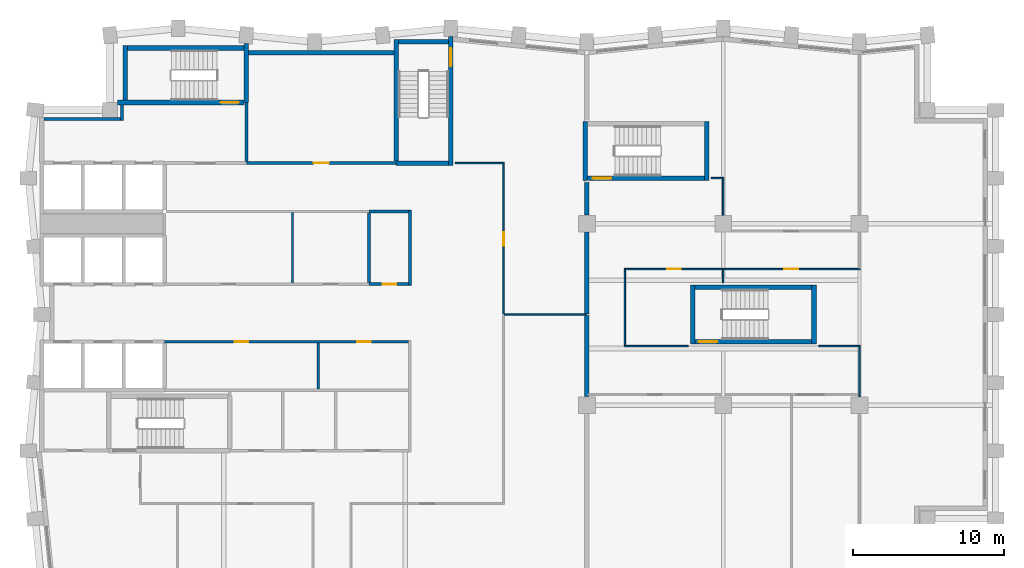
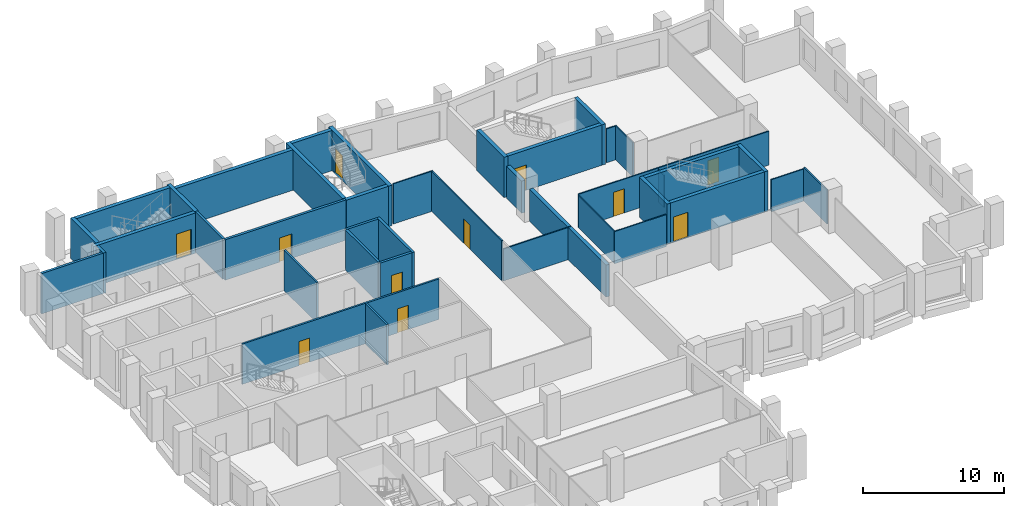
# One storey, part 6 of 10: 42 walls, 11 doors, 11 openings.
"""IFC4 building model written with IfcOpenShell, lengths in metres."""

from ifc_helpers import new_model, si_unit, direction, frame, frame_2d, origin, place, context, subcontext, project, spatial, rectangle, extrude, material, layer, layer_set, type_object, element, fill, save


model = new_model("IFC4")

# Units and contexts
model_context = context("Model", 3, precision=1e-05, world=origin(), true_north=direction((0.0, 1.0)))
body_context = subcontext(model_context, "Body", "Model", "MODEL_VIEW")
ifc_project = project(units=[si_unit("LENGTHUNIT", "METRE"), si_unit("AREAUNIT", "SQUARE_METRE"), si_unit("VOLUMEUNIT", "CUBIC_METRE"), si_unit("PLANEANGLEUNIT", "RADIAN"), si_unit("MASSUNIT", "GRAM", prefix="KILO")], contexts=[model_context])

# Site, building, storey
site_placement = place(None, origin())
site = spatial("IfcSite", under=ifc_project, at=site_placement, CompositionType="ELEMENT")
building_placement = place(site_placement, origin())
building = spatial("IfcBuilding", under=site, at=building_placement, Name="Brondeck Convention Tower", CompositionType="ELEMENT")
storey_placement = place(building_placement, frame((0.0, 0.0, 162.39990234375)))
storey = spatial("IfcBuildingStorey", under=building, at=storey_placement, Name="L39", CompositionType="ELEMENT", Elevation=162.39990234375)

# Walls
ifc_material_1 = material(Name="Concrete compartment wall C30/37", Category="concrete")
ifc_layer_1 = layer(ifc_material_1, 0.300048828125)
ifc_layer_set_1 = layer_set([ifc_layer_1], Name="Compartment wall 300")
wall_type_1 = type_object("IfcWallType", Name="Compartment wall 300", PredefinedType="PARTITIONING", material=ifc_layer_set_1)
wall_1_placement = place(storey_placement, frame((36.0, 39.570068359375, 0.0), z_axis=(0.0, 0.0, 1.0), x_axis=(0.0, 1.0, 0.0)))
element("IfcWall", 1, at=wall_1_placement, inside=storey, type_object=wall_type_1, Name="FLR-L39-W041", PredefinedType="PARTITIONING", context=body_context, shape_type="SweptSolid", body=[
    extrude(rectangle(XDim=5.369873046875, YDim=0.300048828125, at=frame_2d((2.68505859375, 0.0))), origin(), (0.0, 0.0, 1.0), 2.780029296875),
])
wall_2_placement = place(storey_placement, frame((36.0, 45.0400390625, 0.0), z_axis=(0.0, 0.0, 1.0), x_axis=(0.0, 1.0, 0.0)))
element("IfcWall", 2, at=wall_2_placement, inside=storey, type_object=wall_type_1, Name="FLR-L39-W047", PredefinedType="PARTITIONING", context=body_context, shape_type="SweptSolid", body=[
    extrude(rectangle(XDim=5.405029296875, YDim=0.300048828125, at=frame_2d((2.70263671875, 0.0))), origin(), (0.0, 0.0, 1.0), 2.780029296875),
])
wall_3_placement = place(storey_placement, frame((36.0, 51.554931640625, 0.0), z_axis=(0.0, 0.0, 1.0), x_axis=(0.0, 1.0, 0.0)))
element("IfcWall", 3, at=wall_3_placement, inside=storey, type_object=wall_type_1, Name="FLR-L39-W054", PredefinedType="PARTITIONING", context=body_context, shape_type="SweptSolid", body=[
    extrude(rectangle(XDim=2.14501953125, YDim=0.300048828125, at=frame_2d((1.072509765625, 0.0))), origin(), (0.0, 0.0, 1.0), 2.780029296875),
])
ifc_material_2 = material(Name="Concrete C70/85", Category="concrete")
ifc_layer_2 = layer(ifc_material_2, 0.199951171875)
ifc_layer_set_2 = layer_set([ifc_layer_2], Name="Core beam-seat wall 200 Concrete C70/85")
wall_type_2 = type_object("IfcWallType", Name="Core beam-seat wall 200 Concrete C70/85", PredefinedType="SHEAR", material=ifc_layer_set_2)
wall_4_placement = place(storey_placement, frame((24.300048828125, 46.89990234375, 0.0), z_axis=(0.0, 0.0, 1.0), x_axis=(0.0, 1.0, 0.0)))
element("IfcWall", 4, at=wall_4_placement, inside=storey, type_object=wall_type_2, Name="L39 core wall", PredefinedType="SHEAR", context=body_context, shape_type="SweptSolid", body=[
    extrude(rectangle(XDim=5.0, YDim=0.199951171875, at=frame_2d((2.5, 0.0))), origin(), (0.0, 0.0, 1.0), 3.5),
])
ifc_layer_3 = layer(ifc_material_2, 0.300048828125)
ifc_layer_set_3 = layer_set([ifc_layer_3], Name="Core outer wall 300 Concrete C70/85")
wall_type_3 = type_object("IfcWallType", Name="Core outer wall 300 Concrete C70/85", PredefinedType="SHEAR", material=ifc_layer_set_3)
wall_5_placement = place(storey_placement, frame((13.64990234375, 62.300048828125, 0.0), z_axis=(0.0, 0.0, 1.0), x_axis=(1.0, 0.0, 0.0)))
element("IfcWall", 5, at=wall_5_placement, inside=storey, type_object=wall_type_3, Name="L39 core wall", PredefinedType="SHEAR", context=body_context, shape_type="SweptSolid", body=[
    extrude(rectangle(XDim=9.60009765625, YDim=0.300048828125, at=frame_2d((4.800048828125, 0.0))), origin(), (0.0, 0.0, 1.0), 3.5),
])

# Wall, openings, doors
ifc_material_3 = material(Name="Fire-rated gypsum board partition")
ifc_layer_4 = layer(ifc_material_3, 0.14990234375)
ifc_layer_set_4 = layer_set([ifc_layer_4], Name="Core partition 150 EI 60")
wall_type_4 = type_object("IfcWallType", Name="Core partition 150 EI 60", PredefinedType="PARTITIONING", material=ifc_layer_set_4)
wall_6_placement = place(storey_placement, frame((8.10009765625, 43.199951171875, 0.0), z_axis=(0.0, 0.0, 1.0), x_axis=(1.0, 0.0, 0.0)))
wall_6 = element("IfcWall", 6, at=wall_6_placement, inside=storey, type_object=wall_type_4, Name="L39 core wall", PredefinedType="PARTITIONING", context=body_context, shape_type="SweptSolid", body=[
    extrude(rectangle(XDim=16.125, YDim=0.14990234375, at=frame_2d((8.0625, 0.0))), origin(), (0.0, 0.0, 1.0), 3.5),
])
opening_1_placement = place(wall_6_placement, frame((4.625, 0.0, 0.0)))
opening_1 = element("IfcOpeningElement", 7, at=opening_1_placement, cuts=wall_6, Name="Opening C22-09", PredefinedType="OPENING", context=body_context, shape_type="SweptSolid", body=[
    extrude(rectangle(XDim=0.89990234375, YDim=2.10009765625, at=frame_2d((0.449951171875, 1.050048828125))), frame((0.0, 0.0849609375, 0.0), z_axis=(0.0, -1.0, 0.0), x_axis=(1.0, 0.0, 0.0)), (0.0, 0.0, 1.0), 0.169921875),
])
opening_2_placement = place(wall_6_placement, frame((12.72509765625, 0.0, 0.0)))
opening_2 = element("IfcOpeningElement", 8, at=opening_2_placement, cuts=wall_6, Name="Opening C22-10", PredefinedType="OPENING", context=body_context, shape_type="SweptSolid", body=[
    extrude(rectangle(XDim=0.89990234375, YDim=2.10009765625, at=frame_2d((0.449951171875, 1.050048828125))), frame((0.0, 0.0849609375, 0.0), z_axis=(0.0, -1.0, 0.0), x_axis=(1.0, 0.0, 0.0)), (0.0, 0.0, 1.0), 0.169921875),
])
ifc_material_4 = material(Name="Steel fire door", Category="steel")
door_type_1 = type_object("IfcDoorType", Name="Room door 900x2100 EI 60", OperationType="NOTDEFINED", PredefinedType="DOOR", material=ifc_material_4)
door_1_placement = place(opening_1_placement, origin())
door_1 = element("IfcDoor", 9, at=door_1_placement, inside=storey, type_object=door_type_1, Name="L39 Room door FZ-S-8.1-1", OperationType="SINGLE_SWING_RIGHT", OverallHeight=2.10009765625, OverallWidth=0.89990234375, PredefinedType="DOOR", context=body_context, shape_type="SweptSolid", body=[
    extrude(rectangle(XDim=0.89990234375, YDim=2.10009765625, at=frame_2d((0.449951171875, 1.050048828125))), frame((0.0, 0.02490234375, 0.0), z_axis=(0.0, -1.0, 0.0), x_axis=(1.0, 0.0, 0.0)), (0.0, 0.0, 1.0), 0.050048828125),
])
fill(opening_1, door_1)
door_2_placement = place(opening_2_placement, origin())
door_2 = element("IfcDoor", 10, at=door_2_placement, inside=storey, type_object=door_type_1, Name="L39 Room door FZ-S-8.1-2", OperationType="SINGLE_SWING_LEFT", OverallHeight=2.10009765625, OverallWidth=0.89990234375, PredefinedType="DOOR", context=body_context, shape_type="SweptSolid", body=[
    extrude(rectangle(XDim=0.89990234375, YDim=2.10009765625, at=frame_2d((0.449951171875, 1.050048828125))), frame((0.0, 0.02490234375, 0.0), z_axis=(0.0, -1.0, 0.0), x_axis=(1.0, 0.0, 0.0)), (0.0, 0.0, 1.0), 0.050048828125),
])
fill(opening_2, door_2)

# Walls
wall_7_placement = place(storey_placement, frame((16.550048828125, 47.074951171875, 0.0), z_axis=(0.0, 0.0, 1.0), x_axis=(0.0, 1.0, 0.0)))
element("IfcWall", 11, at=wall_7_placement, inside=storey, type_object=wall_type_4, Name="L39 core wall", PredefinedType="PARTITIONING", context=body_context, shape_type="SweptSolid", body=[
    extrude(rectangle(XDim=4.650146484375, YDim=0.14990234375, at=frame_2d((2.3251953125, 0.0))), origin(), (0.0, 0.0, 1.0), 3.5),
])
wall_8_placement = place(storey_placement, frame((18.25, 40.074951171875, 0.0), z_axis=(0.0, 0.0, 1.0), x_axis=(0.0, 1.0, 0.0)))
element("IfcWall", 12, at=wall_8_placement, inside=storey, type_object=wall_type_4, Name="L39 core wall", PredefinedType="PARTITIONING", context=body_context, shape_type="SweptSolid", body=[
    extrude(rectangle(XDim=3.050048828125, YDim=0.14990234375, at=frame_2d((1.52490234375, 0.0))), origin(), (0.0, 0.0, 1.0), 3.5),
])
ifc_layer_5 = layer(ifc_material_3, 0.199951171875)
ifc_layer_set_5 = layer_set([ifc_layer_5], Name="Firefighting lobby wall 200 EI 120")
wall_type_5 = type_object("IfcWallType", Name="Firefighting lobby wall 200 EI 120", PredefinedType="PARTITIONING", material=ifc_layer_set_5)
wall_9_placement = place(storey_placement, frame((0.14990234375, 57.89990234375, 0.0), z_axis=(0.0, 0.0, 1.0), x_axis=(1.0, 0.0, 0.0)))
element("IfcWall", 13, at=wall_9_placement, inside=storey, type_object=wall_type_5, Name="L39 core wall", PredefinedType="PARTITIONING", context=body_context, shape_type="SweptSolid", body=[
    extrude(rectangle(XDim=5.050048828125, YDim=0.199951171875, at=frame_2d((2.52490234375, 0.0))), origin(), (0.0, 0.0, 1.0), 3.5),
])
wall_10_placement = place(storey_placement, frame((5.300048828125, 57.800048828125, 0.0), z_axis=(0.0, 0.0, 1.0), x_axis=(0.0, 1.0, 0.0)))
element("IfcWall", 14, at=wall_10_placement, inside=storey, type_object=wall_type_5, Name="L39 core wall", PredefinedType="PARTITIONING", context=body_context, shape_type="SweptSolid", body=[
    extrude(rectangle(XDim=1.050048828125, YDim=0.199951171875, at=frame_2d((0.52490234375, 0.0))), origin(), (0.0, 0.0, 1.0), 3.5),
])
wall_11_placement = place(storey_placement, frame((13.5, 55.10009765625, 0.0), z_axis=(0.0, 0.0, 1.0), x_axis=(0.0, 1.0, 0.0)))
element("IfcWall", 15, at=wall_11_placement, inside=storey, type_object=wall_type_5, Name="L39 core wall", PredefinedType="PARTITIONING", context=body_context, shape_type="SweptSolid", body=[
    extrude(rectangle(XDim=3.89990234375, YDim=0.199951171875, at=frame_2d((1.949951171875, 0.0))), origin(), (0.0, 0.0, 1.0), 3.5),
])

# Wall, opening, door
ifc_layer_6 = layer(ifc_material_3, 0.199951171875)
ifc_layer_set_6 = layer_set([ifc_layer_6], Name="Riser wall 200 EI 120")
wall_type_6 = type_object("IfcWallType", Name="Riser wall 200 EI 120", PredefinedType="PARTITIONING", material=ifc_layer_set_6)
wall_12_placement = place(storey_placement, frame((21.60009765625, 47.0, 0.0), z_axis=(0.0, 0.0, 1.0), x_axis=(1.0, 0.0, 0.0)))
wall_12 = element("IfcWall", 16, at=wall_12_placement, inside=storey, type_object=wall_type_6, Name="L39 core wall", PredefinedType="PARTITIONING", context=body_context, shape_type="SweptSolid", body=[
    extrude(rectangle(XDim=2.599853515625, YDim=0.199951171875, at=frame_2d((1.2998046875, 0.0))), origin(), (0.0, 0.0, 1.0), 3.5),
])
opening_3_placement = place(wall_12_placement, frame((0.89990234375, 0.0, 0.0)))
opening_3 = element("IfcOpeningElement", 17, at=opening_3_placement, cuts=wall_12, Name="Opening C22-02", PredefinedType="OPENING", context=body_context, shape_type="SweptSolid", body=[
    extrude(rectangle(XDim=0.89990234375, YDim=2.10009765625, at=frame_2d((0.449951171875, 1.050048828125))), frame((0.0, 0.10986328125, 0.0), z_axis=(0.0, -1.0, 0.0), x_axis=(1.0, 0.0, 0.0)), (0.0, 0.0, 1.0), 0.219970703125),
])
door_type_2 = type_object("IfcDoorType", Name="Riser door 900x2100 EI 120", OperationType="NOTDEFINED", PredefinedType="DOOR", material=ifc_material_4)
door_3_placement = place(opening_3_placement, origin())
door_3 = element("IfcDoor", 18, at=door_3_placement, inside=storey, type_object=door_type_2, Name="L39 Riser door EN-1", OperationType="SINGLE_SWING_LEFT", OverallHeight=2.10009765625, OverallWidth=0.89990234375, PredefinedType="DOOR", context=body_context, shape_type="SweptSolid", body=[
    extrude(rectangle(XDim=0.89990234375, YDim=2.10009765625, at=frame_2d((0.449951171875, 1.050048828125))), frame((0.0, 0.02490234375, 0.0), z_axis=(0.0, -1.0, 0.0), x_axis=(1.0, 0.0, 0.0)), (0.0, 0.0, 1.0), 0.050048828125),
])
fill(opening_3, door_3)

# Wall
wall_13_placement = place(storey_placement, frame((21.60009765625, 51.800048828125, 0.0), z_axis=(0.0, 0.0, 1.0), x_axis=(1.0, 0.0, 0.0)))
element("IfcWall", 19, at=wall_13_placement, inside=storey, type_object=wall_type_6, Name="L39 core wall", PredefinedType="PARTITIONING", context=body_context, shape_type="SweptSolid", body=[
    extrude(rectangle(XDim=2.599853515625, YDim=0.199951171875, at=frame_2d((1.2998046875, 0.0))), origin(), (0.0, 0.0, 1.0), 3.5),
])

# Wall, opening, door
wall_14_placement = place(storey_placement, frame((13.5, 55.0, 0.0), z_axis=(0.0, 0.0, 1.0), x_axis=(1.0, 0.0, 0.0)))
wall_14 = element("IfcWall", 20, at=wall_14_placement, inside=storey, type_object=wall_type_6, Name="L39 core wall", PredefinedType="PARTITIONING", context=body_context, shape_type="SweptSolid", body=[
    extrude(rectangle(XDim=9.89990234375, YDim=0.199951171875, at=frame_2d((4.949951171875, 0.0))), origin(), (0.0, 0.0, 1.0), 3.5),
])
opening_4_placement = place(wall_14_placement, frame((4.449951171875, 0.0, 0.0)))
opening_4 = element("IfcOpeningElement", 21, at=opening_4_placement, cuts=wall_14, Name="Opening C22-11", PredefinedType="OPENING", context=body_context, shape_type="SweptSolid", body=[
    extrude(rectangle(XDim=1.0, YDim=2.10009765625, at=frame_2d((0.5, 1.050048828125))), frame((0.0, 0.10986328125, 0.0), z_axis=(0.0, -1.0, 0.0), x_axis=(1.0, 0.0, 0.0)), (0.0, 0.0, 1.0), 0.219970703125),
])
door_type_3 = type_object("IfcDoorType", Name="Riser door 1000x2100 EI 120", OperationType="NOTDEFINED", PredefinedType="DOOR", material=ifc_material_4)
door_4_placement = place(opening_4_placement, origin())
door_4 = element("IfcDoor", 22, at=door_4_placement, inside=storey, type_object=door_type_3, Name="L39 Riser door NE-1", OperationType="SINGLE_SWING_LEFT", OverallHeight=2.10009765625, OverallWidth=1.0, PredefinedType="DOOR", context=body_context, shape_type="SweptSolid", body=[
    extrude(rectangle(XDim=1.0, YDim=2.10009765625, at=frame_2d((0.5, 1.050048828125))), frame((0.0, 0.02490234375, 0.0), z_axis=(0.0, -1.0, 0.0), x_axis=(1.0, 0.0, 0.0)), (0.0, 0.0, 1.0), 0.050048828125),
])
fill(opening_4, door_4)

# Walls
wall_15_placement = place(storey_placement, frame((21.60009765625, 47.10009765625, 0.0), z_axis=(0.0, 0.0, 1.0), x_axis=(0.0, 1.0, 0.0)))
element("IfcWall", 23, at=wall_15_placement, inside=storey, type_object=wall_type_6, Name="L39 core wall", PredefinedType="PARTITIONING", context=body_context, shape_type="SweptSolid", body=[
    extrude(rectangle(XDim=4.599853515625, YDim=0.199951171875, at=frame_2d((2.2998046875, 0.0))), origin(), (0.0, 0.0, 1.0), 3.5),
])
ifc_material_5 = material(Name="Gypsum board partition on steel studs", Category="steel")
ifc_layer_7 = layer(ifc_material_5, 0.10009765625)
ifc_layer_set_7 = layer_set([ifc_layer_7], Name="Room partition 100")
wall_type_7 = type_object("IfcWallType", Name="Room partition 100", PredefinedType="PARTITIONING", material=ifc_layer_set_7)
wall_16_placement = place(storey_placement, frame((54.0, 42.85009765625, 0.0), z_axis=(0.0, 0.0, 1.0), x_axis=(0.0, -1.0, 0.0)))
element("IfcWall", 24, at=wall_16_placement, inside=storey, type_object=wall_type_7, Name="FLR-L39-W042", PredefinedType="PARTITIONING", context=body_context, shape_type="SweptSolid", body=[
    extrude(rectangle(XDim=3.280029296875, YDim=0.10009765625, at=frame_2d((1.64013671875, 0.0))), origin(), (0.0, 0.0, 1.0), 2.93017578125),
])
wall_17_placement = place(storey_placement, frame((38.449951171875, 42.89990234375, 0.0), z_axis=(0.0, 0.0, 1.0), x_axis=(1.0, 0.0, 0.0)))
element("IfcWall", 25, at=wall_17_placement, inside=storey, type_object=wall_type_7, Name="FLR-L39-W043", PredefinedType="PARTITIONING", context=body_context, shape_type="SweptSolid", body=[
    extrude(rectangle(XDim=4.25, YDim=0.10009765625, at=frame_2d((2.125, 0.0))), origin(), (0.0, 0.0, 1.0), 2.780029296875),
])
wall_18_placement = place(storey_placement, frame((51.300048828125, 42.89990234375, 0.0), z_axis=(0.0, 0.0, 1.0), x_axis=(1.0, 0.0, 0.0)))
element("IfcWall", 26, at=wall_18_placement, inside=storey, type_object=wall_type_7, Name="FLR-L39-W044", PredefinedType="PARTITIONING", context=body_context, shape_type="SweptSolid", body=[
    extrude(rectangle(XDim=2.75, YDim=0.10009765625, at=frame_2d((1.375, 0.0))), origin(), (0.0, 0.0, 1.0), 2.780029296875),
])
wall_19_placement = place(storey_placement, frame((30.550048828125, 44.989990234375, 0.0), z_axis=(0.0, 0.0, 1.0), x_axis=(1.0, 0.0, 0.0)))
element("IfcWall", 27, at=wall_19_placement, inside=storey, type_object=wall_type_7, Name="FLR-L39-W046", PredefinedType="PARTITIONING", context=body_context, shape_type="SweptSolid", body=[
    extrude(rectangle(XDim=5.39990234375, YDim=0.10009765625, at=frame_2d((2.699951171875, 0.0))), origin(), (0.0, 0.0, 1.0), 2.780029296875),
])
wall_20_placement = place(storey_placement, frame((38.5, 47.949951171875, 0.0), z_axis=(0.0, 0.0, 1.0), x_axis=(0.0, -1.0, 0.0)))
element("IfcWall", 28, at=wall_20_placement, inside=storey, type_object=wall_type_7, Name="FLR-L39-W048", PredefinedType="PARTITIONING", context=body_context, shape_type="SweptSolid", body=[
    extrude(rectangle(XDim=5.0, YDim=0.10009765625, at=frame_2d((2.5, 0.0))), origin(), (0.0, 0.0, 1.0), 2.780029296875),
])
wall_21_placement = place(storey_placement, frame((45.0, 47.949951171875, 0.0), z_axis=(0.0, 0.0, 1.0), x_axis=(0.0, -1.0, 0.0)))
element("IfcWall", 29, at=wall_21_placement, inside=storey, type_object=wall_type_7, Name="FLR-L39-W049", PredefinedType="PARTITIONING", context=body_context, shape_type="SweptSolid", body=[
    extrude(rectangle(XDim=0.849853515625, YDim=0.10009765625, at=frame_2d((0.4248046875, 0.0))), origin(), (0.0, 0.0, 1.0), 2.780029296875),
])

# Wall, opening, door
wall_22_placement = place(storey_placement, frame((45.0, 48.0, 0.0), z_axis=(0.0, 0.0, 1.0), x_axis=(-1.0, 0.0, 0.0)))
wall_22 = element("IfcWall", 30, at=wall_22_placement, inside=storey, type_object=wall_type_7, Name="FLR-L39-W050", PredefinedType="PARTITIONING", context=body_context, shape_type="SweptSolid", body=[
    extrude(rectangle(XDim=6.550048828125, YDim=0.10009765625, at=frame_2d((3.27490234375, 0.0))), origin(), (0.0, 0.0, 1.0), 2.93017578125),
])
opening_5_placement = place(wall_22_placement, frame((2.800048828125, 0.0, 0.0)))
opening_5 = element("IfcOpeningElement", 31, at=opening_5_placement, cuts=wall_22, Name="Opening OF-G-002", PredefinedType="OPENING", context=body_context, shape_type="SweptSolid", body=[
    extrude(rectangle(XDim=0.89990234375, YDim=2.10009765625, at=frame_2d((0.449951171875, 1.050048828125))), frame((0.0, 0.06005859375, 0.0), z_axis=(0.0, -1.0, 0.0), x_axis=(1.0, 0.0, 0.0)), (0.0, 0.0, 1.0), 0.1201171875),
])
ifc_material_6 = material(Name="Solid timber door leaf", Category="wood")
door_type_4 = type_object("IfcDoorType", Name="Single door 900", OperationType="NOTDEFINED", PredefinedType="DOOR", material=ifc_material_6)
door_5_placement = place(opening_5_placement, origin())
door_5 = element("IfcDoor", 32, at=door_5_placement, inside=storey, type_object=door_type_4, Name="Door OF-G-002", OperationType="SINGLE_SWING_RIGHT", OverallHeight=2.10009765625, OverallWidth=0.89990234375, PredefinedType="DOOR", context=body_context, shape_type="SweptSolid", body=[
    extrude(rectangle(XDim=0.89990234375, YDim=2.10009765625, at=frame_2d((0.449951171875, 1.050048828125))), frame((0.0, 0.02490234375, 0.0), z_axis=(0.0, -1.0, 0.0), x_axis=(1.0, 0.0, 0.0)), (0.0, 0.0, 1.0), 0.050048828125),
])
fill(opening_5, door_5)

wall_23_placement = place(storey_placement, frame((54.050048828125, 48.0, 0.0), z_axis=(0.0, 0.0, 1.0), x_axis=(-1.0, 0.0, 0.0)))
wall_23 = element("IfcWall", 33, at=wall_23_placement, inside=storey, type_object=wall_type_7, Name="FLR-L39-W051", PredefinedType="PARTITIONING", context=body_context, shape_type="SweptSolid", body=[
    extrude(rectangle(XDim=9.050048828125, YDim=0.10009765625, at=frame_2d((4.52490234375, 0.0))), origin(), (0.0, 0.0, 1.0), 2.93017578125),
])
opening_6_placement = place(wall_23_placement, frame((4.10009765625, 0.0, 0.0)))
opening_6 = element("IfcOpeningElement", 34, at=opening_6_placement, cuts=wall_23, Name="Opening OF-G-005", PredefinedType="OPENING", context=body_context, shape_type="SweptSolid", body=[
    extrude(rectangle(XDim=0.89990234375, YDim=2.10009765625, at=frame_2d((0.449951171875, 1.050048828125))), frame((0.0, 0.06005859375, 0.0), z_axis=(0.0, -1.0, 0.0), x_axis=(1.0, 0.0, 0.0)), (0.0, 0.0, 1.0), 0.1201171875),
])
door_6_placement = place(opening_6_placement, origin())
door_6 = element("IfcDoor", 35, at=door_6_placement, inside=storey, type_object=door_type_4, Name="Door OF-G-005", OperationType="SINGLE_SWING_RIGHT", OverallHeight=2.10009765625, OverallWidth=0.89990234375, PredefinedType="DOOR", context=body_context, shape_type="SweptSolid", body=[
    extrude(rectangle(XDim=0.89990234375, YDim=2.10009765625, at=frame_2d((0.449951171875, 1.050048828125))), frame((0.0, 0.02490234375, 0.0), z_axis=(0.0, -1.0, 0.0), x_axis=(1.0, 0.0, 0.0)), (0.0, 0.0, 1.0), 0.050048828125),
])
fill(opening_6, door_6)

# Walls
wall_24_placement = place(storey_placement, frame((45.0, 53.949951171875, 0.0), z_axis=(0.0, 0.0, 1.0), x_axis=(0.0, -1.0, 0.0)))
element("IfcWall", 36, at=wall_24_placement, inside=storey, type_object=wall_type_7, Name="FLR-L39-W056", PredefinedType="PARTITIONING", context=body_context, shape_type="SweptSolid", body=[
    extrude(rectangle(XDim=2.39501953125, YDim=0.10009765625, at=frame_2d((1.197509765625, 0.0))), origin(), (0.0, 0.0, 1.0), 2.93017578125),
])
wall_25_placement = place(storey_placement, frame((44.199951171875, 54.0, 0.0), z_axis=(0.0, 0.0, 1.0), x_axis=(1.0, 0.0, 0.0)))
element("IfcWall", 37, at=wall_25_placement, inside=storey, type_object=wall_type_7, Name="FLR-L39-W057", PredefinedType="PARTITIONING", context=body_context, shape_type="SweptSolid", body=[
    extrude(rectangle(XDim=0.85009765625, YDim=0.10009765625, at=frame_2d((0.425048828125, 0.0))), origin(), (0.0, 0.0, 1.0), 2.93017578125),
])

# Wall, opening, door
wall_26_placement = place(storey_placement, frame((30.5, 54.949951171875, 0.0), z_axis=(0.0, 0.0, 1.0), x_axis=(0.0, -1.0, 0.0)))
wall_26 = element("IfcWall", 38, at=wall_26_placement, inside=storey, type_object=wall_type_7, Name="FLR-L39-W058", PredefinedType="PARTITIONING", context=body_context, shape_type="SweptSolid", body=[
    extrude(rectangle(XDim=9.909912109375, YDim=0.10009765625, at=frame_2d((4.955078125, 0.0))), origin(), (0.0, 0.0, 1.0), 3.47998046875),
])
opening_7_placement = place(wall_26_placement, frame((4.5048828125, 0.0, 0.0)))
opening_7 = element("IfcOpeningElement", 39, at=opening_7_placement, cuts=wall_26, Name="Opening OF-G-016", PredefinedType="OPENING", context=body_context, shape_type="SweptSolid", body=[
    extrude(rectangle(XDim=0.89990234375, YDim=2.10009765625, at=frame_2d((0.449951171875, 1.050048828125))), frame((0.0, 0.06005859375, 0.0), z_axis=(0.0, -1.0, 0.0), x_axis=(1.0, 0.0, 0.0)), (0.0, 0.0, 1.0), 0.1201171875),
])
door_7_placement = place(opening_7_placement, origin())
door_7 = element("IfcDoor", 40, at=door_7_placement, inside=storey, type_object=door_type_4, Name="Door OF-G-016", OperationType="SINGLE_SWING_LEFT", OverallHeight=2.10009765625, OverallWidth=0.89990234375, PredefinedType="DOOR", context=body_context, shape_type="SweptSolid", body=[
    extrude(rectangle(XDim=0.89990234375, YDim=2.10009765625, at=frame_2d((0.449951171875, 1.050048828125))), frame((0.0, 0.02490234375, 0.0), z_axis=(0.0, -1.0, 0.0), x_axis=(1.0, 0.0, 0.0)), (0.0, 0.0, 1.0), 0.050048828125),
])
fill(opening_7, door_7)

# Wall
wall_27_placement = place(storey_placement, frame((27.300048828125, 55.0, 0.0), z_axis=(0.0, 0.0, 1.0), x_axis=(1.0, 0.0, 0.0)))
element("IfcWall", 41, at=wall_27_placement, inside=storey, type_object=wall_type_7, Name="FLR-L39-W059", PredefinedType="PARTITIONING", context=body_context, shape_type="SweptSolid", body=[
    extrude(rectangle(XDim=3.25, YDim=0.10009765625, at=frame_2d((1.625, 0.0))), origin(), (0.0, 0.0, 1.0), 3.47998046875),
])

# Wall, opening, door
ifc_layer_8 = layer(ifc_material_2, 0.300048828125)
ifc_layer_set_8 = layer_set([ifc_layer_8], Name="Stair enclosure wall 300 Concrete C70/85")
wall_type_8 = type_object("IfcWallType", Name="Stair enclosure wall 300 Concrete C70/85", PredefinedType="SHEAR", material=ifc_layer_set_8)
wall_28_placement = place(storey_placement, frame((43.14990234375, 43.199951171875, 0.0), z_axis=(0.0, 0.0, 1.0), x_axis=(1.0, 0.0, 0.0)))
wall_28 = element("IfcWall", 42, at=wall_28_placement, inside=storey, type_object=wall_type_8, Name="L39 core wall", PredefinedType="SHEAR", context=body_context, shape_type="SweptSolid", body=[
    extrude(rectangle(XDim=7.7001953125, YDim=0.300048828125, at=frame_2d((3.85009765625, 0.0))), origin(), (0.0, 0.0, 1.0), 3.5),
])
opening_8_placement = place(wall_28_placement, frame((0.25, 0.0, 0.0)))
opening_8 = element("IfcOpeningElement", 43, at=opening_8_placement, cuts=wall_28, Name="Opening C22-16", PredefinedType="OPENING", context=body_context, shape_type="SweptSolid", body=[
    extrude(rectangle(XDim=1.199951171875, YDim=2.199951171875, at=frame_2d((0.60009765625, 1.10009765625))), frame((0.0, 0.159912109375, 0.0), z_axis=(0.0, -1.0, 0.0), x_axis=(1.0, 0.0, 0.0)), (0.0, 0.0, 1.0), 0.320068359375),
])
door_type_5 = type_object("IfcDoorType", Name="Stair door 1200x2200 EI 90", OperationType="NOTDEFINED", PredefinedType="DOOR", material=ifc_material_4)
door_8_placement = place(opening_8_placement, origin())
door_8 = element("IfcDoor", 44, at=door_8_placement, inside=storey, type_object=door_type_5, Name="L39 Stair door ST-AF", OperationType="SINGLE_SWING_RIGHT", OverallHeight=2.199951171875, OverallWidth=1.199951171875, PredefinedType="DOOR", context=body_context, shape_type="SweptSolid", body=[
    extrude(rectangle(XDim=1.199951171875, YDim=2.199951171875, at=frame_2d((0.60009765625, 1.10009765625))), frame((0.0, 0.02490234375, 0.0), z_axis=(0.0, -1.0, 0.0), x_axis=(1.0, 0.0, 0.0)), (0.0, 0.0, 1.0), 0.050048828125),
])
fill(opening_8, door_8)

# Wall
wall_29_placement = place(storey_placement, frame((43.14990234375, 46.800048828125, 0.0), z_axis=(0.0, 0.0, 1.0), x_axis=(1.0, 0.0, 0.0)))
element("IfcWall", 45, at=wall_29_placement, inside=storey, type_object=wall_type_8, Name="L39 core wall", PredefinedType="SHEAR", context=body_context, shape_type="SweptSolid", body=[
    extrude(rectangle(XDim=7.7001953125, YDim=0.300048828125, at=frame_2d((3.85009765625, 0.0))), origin(), (0.0, 0.0, 1.0), 3.5),
])

# Wall, opening, door
wall_30_placement = place(storey_placement, frame((36.050048828125, 54.0, 0.0), z_axis=(0.0, 0.0, 1.0), x_axis=(1.0, 0.0, 0.0)))
wall_30 = element("IfcWall", 46, at=wall_30_placement, inside=storey, type_object=wall_type_8, Name="L39 core wall", PredefinedType="SHEAR", context=body_context, shape_type="SweptSolid", body=[
    extrude(rectangle(XDim=7.699951171875, YDim=0.300048828125, at=frame_2d((3.85009765625, 0.0))), origin(), (0.0, 0.0, 1.0), 3.5),
])
opening_9_placement = place(wall_30_placement, frame((0.35009765625, 0.0, 0.0)))
opening_9 = element("IfcOpeningElement", 47, at=opening_9_placement, cuts=wall_30, Name="Opening C22-15", PredefinedType="OPENING", context=body_context, shape_type="SweptSolid", body=[
    extrude(rectangle(XDim=1.199951171875, YDim=2.199951171875, at=frame_2d((0.60009765625, 1.10009765625))), frame((0.0, 0.159912109375, 0.0), z_axis=(0.0, -1.0, 0.0), x_axis=(1.0, 0.0, 0.0)), (0.0, 0.0, 1.0), 0.320068359375),
])
door_9_placement = place(opening_9_placement, origin())
door_9 = element("IfcDoor", 48, at=door_9_placement, inside=storey, type_object=door_type_5, Name="L39 Stair door ST-AE", OperationType="SINGLE_SWING_LEFT", OverallHeight=2.199951171875, OverallWidth=1.199951171875, PredefinedType="DOOR", context=body_context, shape_type="SweptSolid", body=[
    extrude(rectangle(XDim=1.199951171875, YDim=2.199951171875, at=frame_2d((0.60009765625, 1.10009765625))), frame((0.0, 0.02490234375, 0.0), z_axis=(0.0, -1.0, 0.0), x_axis=(1.0, 0.0, 0.0)), (0.0, 0.0, 1.0), 0.050048828125),
])
fill(opening_9, door_9)

# Wall
wall_31_placement = place(storey_placement, frame((23.39990234375, 55.0, 0.0), z_axis=(0.0, 0.0, 1.0), x_axis=(1.0, 0.0, 0.0)))
element("IfcWall", 49, at=wall_31_placement, inside=storey, type_object=wall_type_8, Name="L39 core wall", PredefinedType="SHEAR", context=body_context, shape_type="SweptSolid", body=[
    extrude(rectangle(XDim=3.4501953125, YDim=0.300048828125, at=frame_2d((1.72509765625, 0.0))), origin(), (0.0, 0.0, 1.0), 3.5),
])

# Wall, opening, door
wall_32_placement = place(storey_placement, frame((5.0, 59.0, 0.0), z_axis=(0.0, 0.0, 1.0), x_axis=(1.0, 0.0, 0.0)))
wall_32 = element("IfcWall", 50, at=wall_32_placement, inside=storey, type_object=wall_type_8, Name="L39 core wall", PredefinedType="SHEAR", context=body_context, shape_type="SweptSolid", body=[
    extrude(rectangle(XDim=8.35009765625, YDim=0.300048828125, at=frame_2d((4.175048828125, 0.0))), origin(), (0.0, 0.0, 1.0), 3.5),
])
opening_10_placement = place(wall_32_placement, frame((6.800048828125, 0.0, 0.0)))
opening_10 = element("IfcOpeningElement", 51, at=opening_10_placement, cuts=wall_32, Name="Opening C22-14", PredefinedType="OPENING", context=body_context, shape_type="SweptSolid", body=[
    extrude(rectangle(XDim=1.199951171875, YDim=2.199951171875, at=frame_2d((0.60009765625, 1.10009765625))), frame((0.0, 0.159912109375, 0.0), z_axis=(0.0, -1.0, 0.0), x_axis=(1.0, 0.0, 0.0)), (0.0, 0.0, 1.0), 0.320068359375),
])
door_type_6 = type_object("IfcDoorType", Name="Stair door 1200x2200 EI 120", OperationType="NOTDEFINED", PredefinedType="DOOR", material=ifc_material_4)
door_10_placement = place(opening_10_placement, origin())
door_10 = element("IfcDoor", 52, at=door_10_placement, inside=storey, type_object=door_type_6, Name="L39 Stair door ST-3", OperationType="SINGLE_SWING_RIGHT", OverallHeight=2.199951171875, OverallWidth=1.199951171875, PredefinedType="DOOR", context=body_context, shape_type="SweptSolid", body=[
    extrude(rectangle(XDim=1.199951171875, YDim=2.199951171875, at=frame_2d((0.60009765625, 1.10009765625))), frame((0.0, 0.02490234375, 0.0), z_axis=(0.0, -1.0, 0.0), x_axis=(1.0, 0.0, 0.0)), (0.0, 0.0, 1.0), 0.050048828125),
])
fill(opening_10, door_10)

# Walls
wall_33_placement = place(storey_placement, frame((5.64990234375, 62.60009765625, 0.0), z_axis=(0.0, 0.0, 1.0), x_axis=(1.0, 0.0, 0.0)))
element("IfcWall", 53, at=wall_33_placement, inside=storey, type_object=wall_type_8, Name="L39 core wall", PredefinedType="SHEAR", context=body_context, shape_type="SweptSolid", body=[
    extrude(rectangle(XDim=7.7001953125, YDim=0.300048828125, at=frame_2d((3.85009765625, 0.0))), origin(), (0.0, 0.0, 1.0), 3.5),
])
wall_34_placement = place(storey_placement, frame((23.550048828125, 63.0, 0.0), z_axis=(0.0, 0.0, 1.0), x_axis=(1.0, 0.0, 0.0)))
element("IfcWall", 54, at=wall_34_placement, inside=storey, type_object=wall_type_8, Name="L39 core wall", PredefinedType="SHEAR", context=body_context, shape_type="SweptSolid", body=[
    extrude(rectangle(XDim=3.300048828125, YDim=0.300048828125, at=frame_2d((1.64990234375, 0.0))), origin(), (0.0, 0.0, 1.0), 3.5),
])
wall_35_placement = place(storey_placement, frame((5.5, 59.14990234375, 0.0), z_axis=(0.0, 0.0, 1.0), x_axis=(0.0, 1.0, 0.0)))
element("IfcWall", 55, at=wall_35_placement, inside=storey, type_object=wall_type_8, Name="L39 core wall", PredefinedType="SHEAR", context=body_context, shape_type="SweptSolid", body=[
    extrude(rectangle(XDim=3.60009765625, YDim=0.300048828125, at=frame_2d((1.800048828125, 0.0))), origin(), (0.0, 0.0, 1.0), 3.5),
])
wall_36_placement = place(storey_placement, frame((13.5, 59.0, 0.0), z_axis=(0.0, 0.0, 1.0), x_axis=(0.0, 1.0, 0.0)))
element("IfcWall", 56, at=wall_36_placement, inside=storey, type_object=wall_type_8, Name="L39 core wall", PredefinedType="SHEAR", context=body_context, shape_type="SweptSolid", body=[
    extrude(rectangle(XDim=3.897216796875, YDim=0.300048828125, at=frame_2d((1.94873046875, 0.0))), origin(), (0.0, 0.0, 1.0), 3.5),
])
wall_37_placement = place(storey_placement, frame((23.39990234375, 55.14990234375, 0.0), z_axis=(0.0, 0.0, 1.0), x_axis=(0.0, 1.0, 0.0)))
element("IfcWall", 57, at=wall_37_placement, inside=storey, type_object=wall_type_8, Name="L39 core wall", PredefinedType="SHEAR", context=body_context, shape_type="SweptSolid", body=[
    extrude(rectangle(XDim=8.0, YDim=0.300048828125, at=frame_2d((4.0, 0.0))), origin(), (0.0, 0.0, 1.0), 3.5),
])

# Wall, opening, door
wall_38_placement = place(storey_placement, frame((27.0, 54.85009765625, 0.0), z_axis=(0.0, 0.0, 1.0), x_axis=(0.0, 1.0, 0.0)))
wall_38 = element("IfcWall", 58, at=wall_38_placement, inside=storey, type_object=wall_type_8, Name="L39 core wall", PredefinedType="SHEAR", context=body_context, shape_type="SweptSolid", body=[
    extrude(rectangle(XDim=8.5, YDim=0.300048828125, at=frame_2d((4.25, 0.0))), origin(), (0.0, 0.0, 1.0), 3.5),
])
opening_11_placement = place(wall_38_placement, frame((6.550048828125, 0.0, 0.0)))
opening_11 = element("IfcOpeningElement", 59, at=opening_11_placement, cuts=wall_38, Name="Opening C22-13", PredefinedType="OPENING", context=body_context, shape_type="SweptSolid", body=[
    extrude(rectangle(XDim=1.199951171875, YDim=2.199951171875, at=frame_2d((0.60009765625, 1.10009765625))), frame((0.0, 0.159912109375, 0.0), z_axis=(0.0, -1.0, 0.0), x_axis=(1.0, 0.0, 0.0)), (0.0, 0.0, 1.0), 0.320068359375),
])
door_11_placement = place(opening_11_placement, origin())
door_11 = element("IfcDoor", 60, at=door_11_placement, inside=storey, type_object=door_type_5, Name="L39 Stair door ST-2", OperationType="SINGLE_SWING_LEFT", OverallHeight=2.199951171875, OverallWidth=1.199951171875, PredefinedType="DOOR", context=body_context, shape_type="SweptSolid", body=[
    extrude(rectangle(XDim=1.199951171875, YDim=2.199951171875, at=frame_2d((0.60009765625, 1.10009765625))), frame((0.0, 0.02490234375, 0.0), z_axis=(0.0, -1.0, 0.0), x_axis=(1.0, 0.0, 0.0)), (0.0, 0.0, 1.0), 0.050048828125),
])
fill(opening_11, door_11)

# Walls
for number, where, z_axis, x_axis, name in (
    (61, (35.89990234375, 53.85009765625, 0.0), (0.0, 0.0, 1.0), (0.0, 1.0, 0.0), "L39 core wall"),
    (62, (43.0, 43.050048828125, 0.0), (0.0, 0.0, 1.0), (0.0, 1.0, 0.0), "L39 core wall"),
    (63, (43.89990234375, 53.85009765625, 0.0), (0.0, 0.0, 1.0), (0.0, 1.0, 0.0), "L39 core wall"),
    (64, (51.0, 43.050048828125, 0.0), (0.0, 0.0, 1.0), (0.0, 1.0, 0.0), "L39 core wall"),
):
    element("IfcWall", number, at=place(storey_placement, frame(where, z_axis=z_axis, x_axis=x_axis)), inside=storey, type_object=wall_type_8, Name=name, PredefinedType="SHEAR", context=body_context, shape_type="SweptSolid", body=[
        extrude(rectangle(XDim=3.89990234375, YDim=0.300048828125, at=frame_2d((1.949951171875, 0.0))), origin(), (0.0, 0.0, 1.0), 3.5),
    ])

save(model, "model.ifc")
